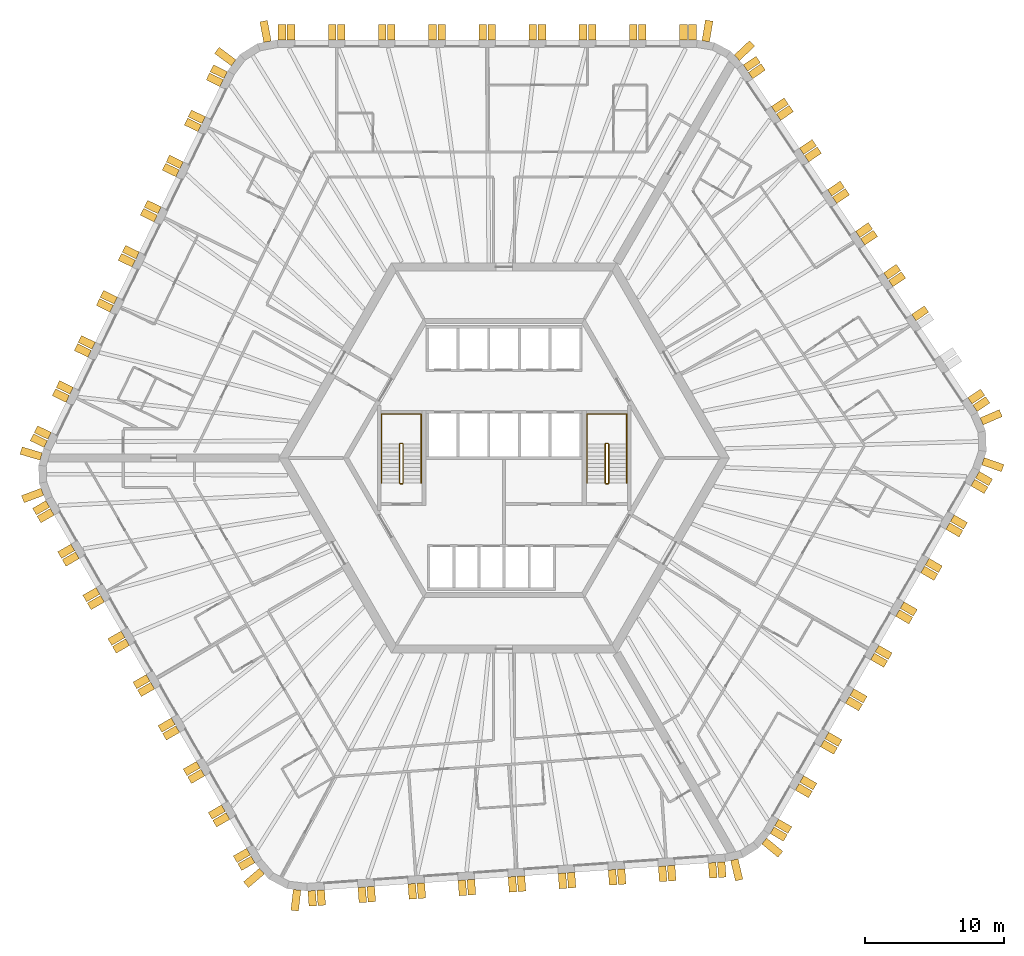
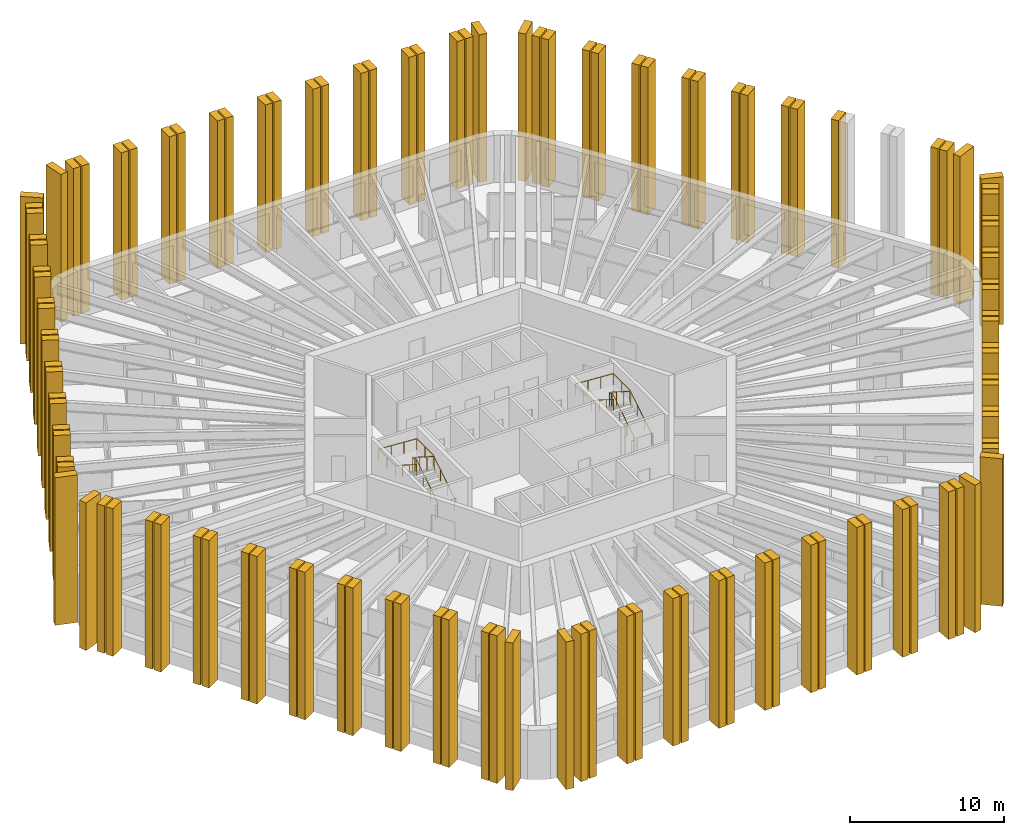
# One storey, part 12 of 13: 117 shading devices, 4 railings.
"""IFC4 building model written with IfcOpenShell, lengths in metres."""

from ifc_helpers import new_model, si_unit, direction, frame, origin, origin_2d, place, context, subcontext, project, spatial, polyline, circle, outline, extrude, material, layer, layer_set, type_object, element, save


model = new_model("IFC4")

# Units and contexts
model_context = context("Model", 3, precision=1e-05, world=origin(), true_north=direction((0.0, 1.0)))
body_context = subcontext(model_context, "Body", "Model", "MODEL_VIEW")
ifc_project = project(units=[si_unit("LENGTHUNIT", "METRE"), si_unit("AREAUNIT", "SQUARE_METRE"), si_unit("VOLUMEUNIT", "CUBIC_METRE"), si_unit("PLANEANGLEUNIT", "RADIAN"), si_unit("MASSUNIT", "GRAM", prefix="KILO")], contexts=[model_context])

# Site, building, storey
site_placement = place(None, origin())
site = spatial("IfcSite", under=ifc_project, at=site_placement, CompositionType="ELEMENT")
building_placement = place(site_placement, origin())
building = spatial("IfcBuilding", under=site, at=building_placement, Name="Tarnside Tower", CompositionType="ELEMENT")
storey_placement = place(building_placement, frame((0.0, 0.0, 68.699951171875)))
storey = spatial("IfcBuildingStorey", under=building, at=storey_placement, Name="L14", CompositionType="ELEMENT", Elevation=68.699951171875)

# Shading devices
ifc_material_1 = material(Name="Concrete C50/60 white precast", Category="concrete")
ifc_layer_1 = layer(ifc_material_1, 0.550048828125)
ifc_layer_set_1 = layer_set([ifc_layer_1], Name="Precast fin 550 x 1100")
shading_device_type_1 = type_object("IfcShadingDeviceType", Name="Precast fin 550 x 1100", PredefinedType="USERDEFINED", material=ifc_layer_set_1)
for number, where, z_axis, x_axis, name in (
    (1, (13.513916015625, 30.0, -0.14990234375), (1.0, 0.0, 0.0), (0.0, 1.0, 0.0), "Precast fin"),
    (2, (12.864013671875, 30.0, -0.14990234375), (1.0, 0.0, 0.0), (0.0, 1.0, 0.0), "Precast fin"),
    (3, (9.9140625, 30.0, -0.14990234375), (1.0, 0.0, 0.0), (0.0, 1.0, 0.0), "Precast fin"),
    (4, (9.263916015625, 30.0, -0.14990234375), (1.0, 0.0, 0.0), (0.0, 1.0, 0.0), "Precast fin"),
    (5, (6.31396484375, 30.0, -0.14990234375), (1.0, 0.0, 0.0), (0.0, 1.0, 0.0), "Precast fin"),
    (6, (5.6640625, 30.0, -0.14990234375), (1.0, 0.0, 0.0), (0.0, 1.0, 0.0), "Precast fin"),
    (7, (2.7138671875, 30.0, -0.14990234375), (1.0, 0.0, 0.0), (0.0, 1.0, 0.0), "Precast fin"),
    (8, (2.06396484375, 30.0, -0.14990234375), (1.0, 0.0, 0.0), (0.0, 1.0, 0.0), "Precast fin"),
    (9, (-0.885986328125, 30.0, -0.14990234375), (1.0, 0.0, 0.0), (0.0, 1.0, 0.0), "Precast fin"),
    (10, (-1.5361328125, 30.0, -0.14990234375), (1.0, 0.0, 0.0), (0.0, 1.0, 0.0), "Precast fin"),
    (11, (-4.486083984375, 30.0, -0.14990234375), (1.0, 0.0, 0.0), (0.0, 1.0, 0.0), "Precast fin"),
    (12, (-5.135986328125, 30.0, -0.14990234375), (1.0, 0.0, 0.0), (0.0, 1.0, 0.0), "Precast fin"),
    (13, (-8.0859375, 30.0, -0.14990234375), (1.0, 0.0, 0.0), (0.0, 1.0, 0.0), "Precast fin"),
    (14, (-8.736083984375, 30.0, -0.14990234375), (1.0, 0.0, 0.0), (0.0, 1.0, 0.0), "Precast fin"),
    (15, (-11.68603515625, 30.0, -0.14990234375), (1.0, 0.0, 0.0), (0.0, 1.0, 0.0), "Precast fin"),
    (16, (-12.3359375, 30.0, -0.14990234375), (1.0, 0.0, 0.0), (0.0, 1.0, 0.0), "Precast fin"),
    (17, (-15.2861328125, 30.0, -0.14990234375), (1.0, 0.0, 0.0), (0.0, 1.0, 0.0), "Precast fin"),
    (18, (-15.93603515625, 30.0, -0.14990234375), (1.0, 0.0, 0.0), (0.0, 1.0, 0.0), "Precast fin"),
    (19, (-19.977783203125, 27.474365234375, -0.14990234375), (0.438371146789, 0.898794046299, 0.0), (-0.898794046299, 0.438371146789, 0.0), "Precast fin"),
    (20, (-20.262939453125, 26.89013671875, -0.14990234375), (0.438371146789, 0.898794046299, 0.0), (-0.898794046299, 0.438371146789, 0.0), "Precast fin"),
    (21, (-21.555908203125, 24.23876953125, -0.14990234375), (0.438371146789, 0.898794046299, 0.0), (-0.898794046299, 0.438371146789, 0.0), "Precast fin"),
    (22, (-21.841064453125, 23.654541015625, -0.14990234375), (0.438371146789, 0.898794046299, 0.0), (-0.898794046299, 0.438371146789, 0.0), "Precast fin"),
    (23, (-23.13427734375, 21.003173828125, -0.14990234375), (0.438371146789, 0.898794046299, 0.0), (-0.898794046299, 0.438371146789, 0.0), "Precast fin"),
    (24, (-23.419189453125, 20.4189453125, -0.14990234375), (0.438371146789, 0.898794046299, 0.0), (-0.898794046299, 0.438371146789, 0.0), "Precast fin"),
    (25, (-24.71240234375, 17.767333984375, -0.14990234375), (0.438371146789, 0.898794046299, 0.0), (-0.898794046299, 0.438371146789, 0.0), "Precast fin"),
    (26, (-24.997314453125, 17.18310546875, -0.14990234375), (0.438371146789, 0.898794046299, 0.0), (-0.898794046299, 0.438371146789, 0.0), "Precast fin"),
    (27, (-26.29052734375, 14.53173828125, -0.14990234375), (0.438371146789, 0.898794046299, 0.0), (-0.898794046299, 0.438371146789, 0.0), "Precast fin"),
    (28, (-26.575439453125, 13.947509765625, -0.14990234375), (0.438371146789, 0.898794046299, 0.0), (-0.898794046299, 0.438371146789, 0.0), "Precast fin"),
    (29, (-27.86865234375, 11.296142578125, -0.14990234375), (0.438371146789, 0.898794046299, 0.0), (-0.898794046299, 0.438371146789, 0.0), "Precast fin"),
    (30, (-28.153564453125, 10.7119140625, -0.14990234375), (0.438371146789, 0.898794046299, 0.0), (-0.898794046299, 0.438371146789, 0.0), "Precast fin"),
    (31, (-29.44677734375, 8.060546875, -0.14990234375), (0.438371146789, 0.898794046299, 0.0), (-0.898794046299, 0.438371146789, 0.0), "Precast fin"),
    (32, (-29.731689453125, 7.476318359375, -0.14990234375), (0.438371146789, 0.898794046299, 0.0), (-0.898794046299, 0.438371146789, 0.0), "Precast fin"),
    (33, (-31.02490234375, 4.82470703125, -0.14990234375), (0.438371146789, 0.898794046299, 0.0), (-0.898794046299, 0.438371146789, 0.0), "Precast fin"),
    (34, (-31.309814453125, 4.240478515625, -0.14990234375), (0.438371146789, 0.898794046299, 0.0), (-0.898794046299, 0.438371146789, 0.0), "Precast fin"),
    (35, (-32.60302734375, 1.589111328125, -0.14990234375), (0.438371146789, 0.898794046299, 0.0), (-0.898794046299, 0.438371146789, 0.0), "Precast fin"),
    (36, (-32.887939453125, 1.0048828125, -0.14990234375), (0.438371146789, 0.898794046299, 0.0), (-0.898794046299, 0.438371146789, 0.0), "Precast fin"),
    (37, (-32.73779296875, -3.296630859375, -0.14990234375), (-0.5, 0.866025403784, 0.0), (-0.866025403784, -0.5, 0.0), "Precast fin"),
    (38, (-32.412841796875, -3.859375, -0.14990234375), (-0.5, 0.866025403784, 0.0), (-0.866025403784, -0.5, 0.0), "Precast fin"),
    (39, (-30.937744140625, -6.414306640625, -0.14990234375), (-0.5, 0.866025403784, 0.0), (-0.866025403784, -0.5, 0.0), "Precast fin"),
    (40, (-30.61279296875, -6.977294921875, -0.14990234375), (-0.5, 0.866025403784, 0.0), (-0.866025403784, -0.5, 0.0), "Precast fin"),
    (41, (-29.1376953125, -9.531982421875, -0.14990234375), (-0.5, 0.866025403784, 0.0), (-0.866025403784, -0.5, 0.0), "Precast fin"),
    (42, (-28.812744140625, -10.094970703125, -0.14990234375), (-0.5, 0.866025403784, 0.0), (-0.866025403784, -0.5, 0.0), "Precast fin"),
    (43, (-27.337646484375, -12.649658203125, -0.14990234375), (-0.5, 0.866025403784, 0.0), (-0.866025403784, -0.5, 0.0), "Precast fin"),
    (44, (-27.0126953125, -13.212646484375, -0.14990234375), (-0.5, 0.866025403784, 0.0), (-0.866025403784, -0.5, 0.0), "Precast fin"),
    (45, (-25.537841796875, -15.767333984375, -0.14990234375), (-0.5, 0.866025403784, 0.0), (-0.866025403784, -0.5, 0.0), "Precast fin"),
    (46, (-25.212646484375, -16.330322265625, -0.14990234375), (-0.5, 0.866025403784, 0.0), (-0.866025403784, -0.5, 0.0), "Precast fin"),
    (47, (-23.73779296875, -18.885009765625, -0.14990234375), (-0.5, 0.866025403784, 0.0), (-0.866025403784, -0.5, 0.0), "Precast fin"),
    (48, (-23.412841796875, -19.447998046875, -0.14990234375), (-0.5, 0.866025403784, 0.0), (-0.866025403784, -0.5, 0.0), "Precast fin"),
    (49, (-21.937744140625, -22.002685546875, -0.14990234375), (-0.5, 0.866025403784, 0.0), (-0.866025403784, -0.5, 0.0), "Precast fin"),
    (50, (-21.61279296875, -22.565673828125, -0.14990234375), (-0.5, 0.866025403784, 0.0), (-0.866025403784, -0.5, 0.0), "Precast fin"),
    (51, (-20.1376953125, -25.120361328125, -0.14990234375), (-0.5, 0.866025403784, 0.0), (-0.866025403784, -0.5, 0.0), "Precast fin"),
    (52, (-19.812744140625, -25.683349609375, -0.14990234375), (-0.5, 0.866025403784, 0.0), (-0.866025403784, -0.5, 0.0), "Precast fin"),
    (53, (-18.337646484375, -28.238037109375, -0.14990234375), (-0.5, 0.866025403784, 0.0), (-0.866025403784, -0.5, 0.0), "Precast fin"),
    (54, (-18.0126953125, -28.801025390625, -0.14990234375), (-0.5, 0.866025403784, 0.0), (-0.866025403784, -0.5, 0.0), "Precast fin"),
    (55, (-13.8046875, -31.03857421875, -0.14990234375), (-0.99756405026, -0.069756473744, 0.0), (0.069756473744, -0.99756405026, 0.0), "Precast fin"),
    (56, (-13.15625, -30.9931640625, -0.14990234375), (-0.99756405026, -0.069756473744, 0.0), (0.069756473744, -0.99756405026, 0.0), "Precast fin"),
    (57, (-10.21337890625, -30.787353515625, -0.14990234375), (-0.99756405026, -0.069756473744, 0.0), (0.069756473744, -0.99756405026, 0.0), "Precast fin"),
    (58, (-9.56494140625, -30.7421875, -0.14990234375), (-0.99756405026, -0.069756473744, 0.0), (0.069756473744, -0.99756405026, 0.0), "Precast fin"),
    (59, (-6.6220703125, -30.536376953125, -0.14990234375), (-0.99756405026, -0.069756473744, 0.0), (0.069756473744, -0.99756405026, 0.0), "Precast fin"),
    (60, (-5.9736328125, -30.490966796875, -0.14990234375), (-0.99756405026, -0.069756473744, 0.0), (0.069756473744, -0.99756405026, 0.0), "Precast fin"),
    (61, (-3.031005859375, -30.28515625, -0.14990234375), (-0.99756405026, -0.069756473744, 0.0), (0.069756473744, -0.99756405026, 0.0), "Precast fin"),
    (62, (-2.382568359375, -30.23974609375, -0.14990234375), (-0.99756405026, -0.069756473744, 0.0), (0.069756473744, -0.99756405026, 0.0), "Precast fin"),
    (63, (0.560302734375, -30.0341796875, -0.14990234375), (-0.99756405026, -0.069756473744, 0.0), (0.069756473744, -0.99756405026, 0.0), "Precast fin"),
    (64, (1.208740234375, -29.98876953125, -0.14990234375), (-0.99756405026, -0.069756473744, 0.0), (0.069756473744, -0.99756405026, 0.0), "Precast fin"),
    (65, (4.151611328125, -29.782958984375, -0.14990234375), (-0.99756405026, -0.069756473744, 0.0), (0.069756473744, -0.99756405026, 0.0), "Precast fin"),
    (66, (4.800048828125, -29.737548828125, -0.14990234375), (-0.99756405026, -0.069756473744, 0.0), (0.069756473744, -0.99756405026, 0.0), "Precast fin"),
    (67, (7.74267578125, -29.53173828125, -0.14990234375), (-0.99756405026, -0.069756473744, 0.0), (0.069756473744, -0.99756405026, 0.0), "Precast fin"),
    (68, (8.39111328125, -29.486572265625, -0.14990234375), (-0.99756405026, -0.069756473744, 0.0), (0.069756473744, -0.99756405026, 0.0), "Precast fin"),
    (69, (11.333984375, -29.28076171875, -0.14990234375), (-0.99756405026, -0.069756473744, 0.0), (0.069756473744, -0.99756405026, 0.0), "Precast fin"),
    (70, (11.982421875, -29.2353515625, -0.14990234375), (-0.99756405026, -0.069756473744, 0.0), (0.069756473744, -0.99756405026, 0.0), "Precast fin"),
    (71, (14.92529296875, -29.029541015625, -0.14990234375), (-0.99756405026, -0.069756473744, 0.0), (0.069756473744, -0.99756405026, 0.0), "Precast fin"),
    (72, (15.57373046875, -28.984130859375, -0.14990234375), (-0.99756405026, -0.069756473744, 0.0), (0.069756473744, -0.99756405026, 0.0), "Precast fin"),
    (73, (19.223876953125, -26.703369140625, -0.14990234375), (-0.5, -0.866025403784, 0.0), (0.866025403784, -0.5, 0.0), "Precast fin"),
    (74, (19.548828125, -26.140625, -0.14990234375), (-0.5, -0.866025403784, 0.0), (0.866025403784, -0.5, 0.0), "Precast fin"),
    (75, (21.023681640625, -23.585693359375, -0.14990234375), (-0.5, -0.866025403784, 0.0), (0.866025403784, -0.5, 0.0), "Precast fin"),
    (76, (21.348876953125, -23.022705078125, -0.14990234375), (-0.5, -0.866025403784, 0.0), (0.866025403784, -0.5, 0.0), "Precast fin"),
    (77, (22.82373046875, -20.468017578125, -0.14990234375), (-0.5, -0.866025403784, 0.0), (0.866025403784, -0.5, 0.0), "Precast fin"),
    (78, (23.148681640625, -19.905029296875, -0.14990234375), (-0.5, -0.866025403784, 0.0), (0.866025403784, -0.5, 0.0), "Precast fin"),
    (79, (24.623779296875, -17.350341796875, -0.14990234375), (-0.5, -0.866025403784, 0.0), (0.866025403784, -0.5, 0.0), "Precast fin"),
    (80, (24.94873046875, -16.787353515625, -0.14990234375), (-0.5, -0.866025403784, 0.0), (0.866025403784, -0.5, 0.0), "Precast fin"),
    (81, (26.423828125, -14.232666015625, -0.14990234375), (-0.5, -0.866025403784, 0.0), (0.866025403784, -0.5, 0.0), "Precast fin"),
    (82, (26.748779296875, -13.669677734375, -0.14990234375), (-0.5, -0.866025403784, 0.0), (0.866025403784, -0.5, 0.0), "Precast fin"),
    (83, (28.223876953125, -11.114990234375, -0.14990234375), (-0.5, -0.866025403784, 0.0), (0.866025403784, -0.5, 0.0), "Precast fin"),
    (84, (28.548828125, -10.552001953125, -0.14990234375), (-0.5, -0.866025403784, 0.0), (0.866025403784, -0.5, 0.0), "Precast fin"),
    (85, (30.023681640625, -7.997314453125, -0.14990234375), (-0.5, -0.866025403784, 0.0), (0.866025403784, -0.5, 0.0), "Precast fin"),
    (86, (30.348876953125, -7.434326171875, -0.14990234375), (-0.5, -0.866025403784, 0.0), (0.866025403784, -0.5, 0.0), "Precast fin"),
    (87, (31.82373046875, -4.879638671875, -0.14990234375), (-0.5, -0.866025403784, 0.0), (0.866025403784, -0.5, 0.0), "Precast fin"),
    (88, (32.148681640625, -4.316650390625, -0.14990234375), (-0.5, -0.866025403784, 0.0), (0.866025403784, -0.5, 0.0), "Precast fin"),
    (89, (33.623779296875, -1.761962890625, -0.14990234375), (-0.5, -0.866025403784, 0.0), (0.866025403784, -0.5, 0.0), "Precast fin"),
    (90, (33.94873046875, -1.198974609375, -0.14990234375), (-0.5, -0.866025403784, 0.0), (0.866025403784, -0.5, 0.0), "Precast fin"),
    (91, (33.782470703125, 3.564208984375, -0.14990234375), (0.559192903471, -0.829037572555, 0.0), (0.829037572555, 0.559192903471, 0.0), "Precast fin"),
    (92, (33.4189453125, 4.10302734375, -0.14990234375), (0.559192903471, -0.829037572555, 0.0), (0.829037572555, 0.559192903471, 0.0), "Precast fin"),
    (93, (29.392822265625, 10.072021484375, -0.14990234375), (0.559192903471, -0.829037572555, 0.0), (0.829037572555, 0.559192903471, 0.0), "Precast fin"),
    (94, (27.7431640625, 12.517822265625, -0.14990234375), (0.559192903471, -0.829037572555, 0.0), (0.829037572555, 0.559192903471, 0.0), "Precast fin"),
    (95, (27.379638671875, 13.056640625, -0.14990234375), (0.559192903471, -0.829037572555, 0.0), (0.829037572555, 0.559192903471, 0.0), "Precast fin"),
    (96, (25.730224609375, 15.502197265625, -0.14990234375), (0.559192903471, -0.829037572555, 0.0), (0.829037572555, 0.559192903471, 0.0), "Precast fin"),
    (97, (25.36669921875, 16.041259765625, -0.14990234375), (0.559192903471, -0.829037572555, 0.0), (0.829037572555, 0.559192903471, 0.0), "Precast fin"),
    (98, (23.717041015625, 18.48681640625, -0.14990234375), (0.559192903471, -0.829037572555, 0.0), (0.829037572555, 0.559192903471, 0.0), "Precast fin"),
    (99, (23.353515625, 19.025634765625, -0.14990234375), (0.559192903471, -0.829037572555, 0.0), (0.829037572555, 0.559192903471, 0.0), "Precast fin"),
    (100, (21.703857421875, 21.471435546875, -0.14990234375), (0.559192903471, -0.829037572555, 0.0), (0.829037572555, 0.559192903471, 0.0), "Precast fin"),
    (101, (21.34033203125, 22.01025390625, -0.14990234375), (0.559192903471, -0.829037572555, 0.0), (0.829037572555, 0.559192903471, 0.0), "Precast fin"),
    (102, (19.69091796875, 24.455810546875, -0.14990234375), (0.559192903471, -0.829037572555, 0.0), (0.829037572555, 0.559192903471, 0.0), "Precast fin"),
    (103, (19.327392578125, 24.994873046875, -0.14990234375), (0.559192903471, -0.829037572555, 0.0), (0.829037572555, 0.559192903471, 0.0), "Precast fin"),
    (104, (17.677734375, 27.4404296875, -0.14990234375), (0.559192903471, -0.829037572555, 0.0), (0.829037572555, 0.559192903471, 0.0), "Precast fin"),
    (105, (17.314208984375, 27.979248046875, -0.14990234375), (0.559192903471, -0.829037572555, 0.0), (0.829037572555, 0.559192903471, 0.0), "Precast fin"),
):
    element("IfcShadingDevice", number, at=place(storey_placement, frame(where, z_axis=z_axis, x_axis=x_axis)), inside=storey, type_object=shading_device_type_1, Name=name, ObjectType="FIN", PredefinedType="USERDEFINED", context=body_context, shape_type="SweptSolid", body=[
        extrude(outline(polyline([(0.0, 0.0), (1.10009765625, 0.0), (1.10009765625, 11.699951171875), (0.0, 11.699951171875), (0.0, 0.0)])), frame((0.0, 0.0, -0.27490234375)), (0.0, 0.0, 1.0), 0.550048828125),
    ])
ifc_layer_2 = layer(ifc_material_1, 0.550048828125)
ifc_layer_set_2 = layer_set([ifc_layer_2], Name="Precast fin 550 x 1500")
shading_device_type_2 = type_object("IfcShadingDeviceType", Name="Precast fin 550 x 1500", PredefinedType="USERDEFINED", material=ifc_layer_set_2)
for number, where, z_axis, x_axis, name in (
    (106, (-16.97509765625, 29.86767578125, -0.14990234375), (0.982720646705, 0.18509492305, 0.0), (-0.18509492305, 0.982720646705, 0.0), "Precast fin"),
    (107, (-19.403564453125, 28.35009765625, -0.14990234375), (0.597158591707, 0.802123192752, 0.0), (-0.802123192752, 0.597158591707, 0.0), "Precast fin"),
    (108, (-33.213623046875, 0.10546875, -0.14990234375), (0.286803232717, 0.957989512314, 0.0), (-0.957989512314, 0.286803232717, 0.0), "Precast fin"),
    (109, (-33.125244140625, -2.422119140625, -0.14990234375), (-0.352930564719, 0.935649515837, 0.0), (-0.935649515837, -0.352930564719, 0.0), "Precast fin"),
    (110, (-17.378662109375, -29.634765625, -0.14990234375), (-0.651657228826, 0.758513583345, 0.0), (-0.758513583345, -0.651657228826, 0.0), "Precast fin"),
    (111, (-14.850341796875, -30.97900390625, -0.14990234375), (-0.993238357741, 0.116092914131, 0.0), (-0.116092914131, -0.993238357741, 0.0), "Precast fin"),
    (112, (16.515625, -28.81640625, -0.14990234375), (-0.973044870581, -0.230615870737, 0.0), (0.230615870737, -0.973044870581, 0.0), "Precast fin"),
    (113, (18.66015625, -27.476318359375, -0.14990234375), (-0.633830967394, -0.773471592738, 0.0), (0.773471592738, -0.633830967394, 0.0), "Precast fin"),
    (114, (34.353759765625, -0.23291015625, -0.14990234375), (-0.331063417879, -0.943608506396, 0.0), (0.943608506396, -0.331063417879, 0.0), "Precast fin"),
    (115, (34.253662109375, 2.62890625, -0.14990234375), (0.396079766034, -0.918216106883, 0.0), (0.918216106883, 0.396079766034, 0.0), "Precast fin"),
    (116, (16.697998046875, 28.711181640625, -0.14990234375), (0.686241637865, -0.727373641577, 0.0), (0.727373641577, 0.686241637865, 0.0), "Precast fin"),
    (117, (14.465087890625, 29.8984375, -0.14990234375), (0.986761532114, -0.1621779231, 0.0), (0.1621779231, 0.986761532114, 0.0), "Precast fin"),
):
    element("IfcShadingDevice", number, at=place(storey_placement, frame(where, z_axis=z_axis, x_axis=x_axis)), inside=storey, type_object=shading_device_type_2, Name=name, ObjectType="FIN", PredefinedType="USERDEFINED", context=body_context, shape_type="SweptSolid", body=[
        extrude(outline(polyline([(0.0, 0.0), (1.5, 0.0), (1.5, 11.699951171875), (0.0, 11.699951171875), (0.0, 0.0)])), frame((0.0, 0.0, -0.27490234375)), (0.0, 0.0, 1.0), 0.550048828125),
    ])

# Railings
ifc_material_2 = material(Name="Stainless steel", Category="steel")
railing_type_1 = type_object("IfcRailingType", Name="Stair guard 1100", PredefinedType="GUARDRAIL", material=ifc_material_2)
railing_1_placement = place(storey_placement, frame((7.300048828125, -1.85009765625, 0.0)))
element("IfcRailing", 118, at=railing_1_placement, inside=storey, type_object=railing_type_1, Name="L14 ST1 stair guard 1", PredefinedType="GUARDRAIL", context=body_context, shape_type="SweptSolid", body=[
    extrude(circle(Radius=0.02392578125, at=origin_2d()), frame((0.0, 0.0, 1.076171875), z_axis=(1.0, 0.0, 0.0), x_axis=(0.0, 1.0, 0.0)), (0.0, 0.0, 1.0), 0.14990234375),
    extrude(circle(Radius=0.02392578125, at=origin_2d()), frame((0.14990234375, 0.0, 1.076171875), z_axis=(0.262233686654, 0.262233686654, 0.928691007369), x_axis=(-0.707106781187, 0.707106781187, 0.0)), (0.0, 0.0, 1.0), 0.19091796875),
    extrude(circle(Radius=0.02392578125, at=origin_2d()), frame((0.199951171875, 0.050048828125, 1.25341796875), z_axis=(0.0, 0.844908973607, 0.534910110503), x_axis=(-1.0, 0.0, 0.0)), (0.0, 0.0, 1.0), 3.31396484375),
    extrude(circle(Radius=0.02392578125, at=origin_2d()), frame((0.199951171875, 2.85009765625, 3.02587890625), z_axis=(-0.707106781187, 0.707106781187, 0.0), x_axis=(-0.707106781187, -0.707106781187, 0.0)), (0.0, 0.0, 1.0), 0.07080078125),
    extrude(circle(Radius=0.02392578125, at=origin_2d()), frame((0.14990234375, 2.900146484375, 3.02587890625), z_axis=(-1.0, 0.0, 0.0), x_axis=(0.0, -1.0, 0.0)), (0.0, 0.0, 1.0), 0.14990234375),
    extrude(circle(Radius=0.02392578125, at=origin_2d()), frame((0.0, 2.900146484375, 3.02587890625), z_axis=(-0.261922500866, -0.261922500866, 0.928866625022), x_axis=(0.707106781187, -0.707106781187, 0.0)), (0.0, 0.0, 1.0), 0.191162109375),
    extrude(circle(Radius=0.02392578125, at=origin_2d()), frame((-0.050048828125, 2.85009765625, 3.20361328125), z_axis=(0.0, -0.844908973607, 0.534910110503), x_axis=(1.0, 0.0, 0.0)), (0.0, 0.0, 1.0), 3.31396484375),
    extrude(circle(Radius=0.02099609375, at=origin_2d()), origin(), (0.0, 0.0, 1.0), 1.052001953125),
    extrude(circle(Radius=0.02099609375, at=origin_2d()), frame((0.14990234375, 0.0, 0.0)), (0.0, 0.0, 1.0), 1.052001953125),
    extrude(circle(Radius=0.02099609375, at=origin_2d()), frame((0.199951171875, 0.050048828125, 0.17724609375)), (0.0, 0.0, 1.0), 1.052001953125),
    extrude(circle(Radius=0.02099609375, at=origin_2d()), frame((0.199951171875, 0.9833984375, 0.76806640625)), (0.0, 0.0, 1.0), 1.052001953125),
    extrude(circle(Radius=0.02099609375, at=origin_2d()), frame((0.199951171875, 1.916748046875, 1.359130859375)), (0.0, 0.0, 1.0), 1.052001953125),
    extrude(circle(Radius=0.02099609375, at=origin_2d()), frame((0.199951171875, 2.85009765625, 1.949951171875)), (0.0, 0.0, 1.0), 1.052001953125),
    extrude(circle(Radius=0.02099609375, at=origin_2d()), frame((0.14990234375, 2.900146484375, 1.949951171875)), (0.0, 0.0, 1.0), 1.052001953125),
    extrude(circle(Radius=0.02099609375, at=origin_2d()), frame((0.0, 2.900146484375, 1.949951171875)), (0.0, 0.0, 1.0), 1.052001953125),
    extrude(circle(Radius=0.02099609375, at=origin_2d()), frame((-0.050048828125, 2.85009765625, 2.12744140625)), (0.0, 0.0, 1.0), 1.052001953125),
    extrude(circle(Radius=0.02099609375, at=origin_2d()), frame((-0.050048828125, 1.916748046875, 2.71826171875)), (0.0, 0.0, 1.0), 1.052001953125),
    extrude(circle(Radius=0.02099609375, at=origin_2d()), frame((-0.050048828125, 0.9833984375, 3.309326171875)), (0.0, 0.0, 1.0), 1.052001953125),
    extrude(circle(Radius=0.02099609375, at=origin_2d()), frame((-0.050048828125, 0.050048828125, 3.900146484375)), (0.0, 0.0, 1.0), 1.052001953125),
])
railing_2_placement = place(storey_placement, frame((-7.449951171875, -1.85009765625, 0.0)))
element("IfcRailing", 119, at=railing_2_placement, inside=storey, type_object=railing_type_1, Name="L14 ST2 stair guard 1", PredefinedType="GUARDRAIL", context=body_context, shape_type="SweptSolid", body=[
    extrude(circle(Radius=0.02392578125, at=origin_2d()), frame((0.0, 0.0, 1.076171875), z_axis=(1.0, 0.0, 0.0), x_axis=(0.0, 1.0, 0.0)), (0.0, 0.0, 1.0), 0.14990234375),
    extrude(circle(Radius=0.02392578125, at=origin_2d()), frame((0.14990234375, 0.0, 1.076171875), z_axis=(0.262233686654, 0.262233686654, 0.928691007369), x_axis=(-0.707106781187, 0.707106781187, 0.0)), (0.0, 0.0, 1.0), 0.19091796875),
    extrude(circle(Radius=0.02392578125, at=origin_2d()), frame((0.199951171875, 0.050048828125, 1.25341796875), z_axis=(0.0, 0.844908973607, 0.534910110503), x_axis=(-1.0, 0.0, 0.0)), (0.0, 0.0, 1.0), 3.31396484375),
    extrude(circle(Radius=0.02392578125, at=origin_2d()), frame((0.199951171875, 2.85009765625, 3.02587890625), z_axis=(-0.707106781187, 0.707106781187, 0.0), x_axis=(-0.707106781187, -0.707106781187, 0.0)), (0.0, 0.0, 1.0), 0.07080078125),
    extrude(circle(Radius=0.02392578125, at=origin_2d()), frame((0.14990234375, 2.900146484375, 3.02587890625), z_axis=(-1.0, 0.0, 0.0), x_axis=(0.0, -1.0, 0.0)), (0.0, 0.0, 1.0), 0.14990234375),
    extrude(circle(Radius=0.02392578125, at=origin_2d()), frame((0.0, 2.900146484375, 3.02587890625), z_axis=(-0.261922500866, -0.261922500866, 0.928866625022), x_axis=(0.707106781187, -0.707106781187, 0.0)), (0.0, 0.0, 1.0), 0.191162109375),
    extrude(circle(Radius=0.02392578125, at=origin_2d()), frame((-0.050048828125, 2.85009765625, 3.20361328125), z_axis=(0.0, -0.844908973607, 0.534910110503), x_axis=(1.0, 0.0, 0.0)), (0.0, 0.0, 1.0), 3.31396484375),
    extrude(circle(Radius=0.02099609375, at=origin_2d()), origin(), (0.0, 0.0, 1.0), 1.052001953125),
    extrude(circle(Radius=0.02099609375, at=origin_2d()), frame((0.14990234375, 0.0, 0.0)), (0.0, 0.0, 1.0), 1.052001953125),
    extrude(circle(Radius=0.02099609375, at=origin_2d()), frame((0.199951171875, 0.050048828125, 0.17724609375)), (0.0, 0.0, 1.0), 1.052001953125),
    extrude(circle(Radius=0.02099609375, at=origin_2d()), frame((0.199951171875, 0.9833984375, 0.76806640625)), (0.0, 0.0, 1.0), 1.052001953125),
    extrude(circle(Radius=0.02099609375, at=origin_2d()), frame((0.199951171875, 1.916748046875, 1.359130859375)), (0.0, 0.0, 1.0), 1.052001953125),
    extrude(circle(Radius=0.02099609375, at=origin_2d()), frame((0.199951171875, 2.85009765625, 1.949951171875)), (0.0, 0.0, 1.0), 1.052001953125),
    extrude(circle(Radius=0.02099609375, at=origin_2d()), frame((0.14990234375, 2.900146484375, 1.949951171875)), (0.0, 0.0, 1.0), 1.052001953125),
    extrude(circle(Radius=0.02099609375, at=origin_2d()), frame((0.0, 2.900146484375, 1.949951171875)), (0.0, 0.0, 1.0), 1.052001953125),
    extrude(circle(Radius=0.02099609375, at=origin_2d()), frame((-0.050048828125, 2.85009765625, 2.12744140625)), (0.0, 0.0, 1.0), 1.052001953125),
    extrude(circle(Radius=0.02099609375, at=origin_2d()), frame((-0.050048828125, 1.916748046875, 2.71826171875)), (0.0, 0.0, 1.0), 1.052001953125),
    extrude(circle(Radius=0.02099609375, at=origin_2d()), frame((-0.050048828125, 0.9833984375, 3.309326171875)), (0.0, 0.0, 1.0), 1.052001953125),
    extrude(circle(Radius=0.02099609375, at=origin_2d()), frame((-0.050048828125, 0.050048828125, 3.900146484375)), (0.0, 0.0, 1.0), 1.052001953125),
])
railing_type_2 = type_object("IfcRailingType", Name="Stair handrail 900", PredefinedType="HANDRAIL", material=ifc_material_2)
railing_3_placement = place(storey_placement, frame((8.800048828125, -1.800048828125, 0.17724609375)))
element("IfcRailing", 120, at=railing_3_placement, inside=storey, type_object=railing_type_2, Name="L14 ST1 stair handrail 1", PredefinedType="HANDRAIL", context=body_context, shape_type="SweptSolid", body=[
    extrude(circle(Radius=0.02392578125, at=origin_2d()), frame((0.0, 0.0, 0.8857421875), z_axis=(0.0, 0.844908973607, 0.534910110503), x_axis=(-1.0, 0.0, 0.0)), (0.0, 0.0, 1.0), 3.31396484375),
    extrude(circle(Radius=0.02392578125, at=origin_2d()), frame((0.0, 2.800048828125, 2.65869140625), z_axis=(0.0, 1.0, 0.0), x_axis=(-1.0, 0.0, 0.0)), (0.0, 0.0, 1.0), 2.14990234375),
    extrude(circle(Radius=0.02392578125, at=origin_2d()), frame((0.0, 4.949951171875, 2.65869140625), z_axis=(-0.998066525363, 0.0, 0.062154733933), x_axis=(0.0, -1.0, 0.0)), (0.0, 0.0, 1.0), 2.855712890625),
    extrude(circle(Radius=0.02392578125, at=origin_2d()), frame((-2.85009765625, 4.949951171875, 2.8359375), z_axis=(0.0, -1.0, 0.0), x_axis=(1.0, 0.0, 0.0)), (0.0, 0.0, 1.0), 2.14990234375),
    extrude(circle(Radius=0.02392578125, at=origin_2d()), frame((-2.85009765625, 2.800048828125, 2.8359375), z_axis=(0.0, -0.844908973607, 0.534910110503), x_axis=(1.0, 0.0, 0.0)), (0.0, 0.0, 1.0), 3.31396484375),
    extrude(circle(Radius=0.02099609375, at=origin_2d()), origin(), (0.0, 0.0, 1.0), 0.86181640625),
    extrude(circle(Radius=0.02099609375, at=origin_2d()), frame((0.0, 0.933349609375, 0.5908203125)), (0.0, 0.0, 1.0), 0.86181640625),
    extrude(circle(Radius=0.02099609375, at=origin_2d()), frame((0.0, 1.86669921875, 1.181884765625)), (0.0, 0.0, 1.0), 0.86181640625),
    extrude(circle(Radius=0.02099609375, at=origin_2d()), frame((0.0, 2.800048828125, 1.772705078125)), (0.0, 0.0, 1.0), 0.86181640625),
    extrude(circle(Radius=0.02099609375, at=origin_2d()), frame((0.0, 3.875, 1.772705078125)), (0.0, 0.0, 1.0), 0.86181640625),
    extrude(circle(Radius=0.02099609375, at=origin_2d()), frame((0.0, 4.949951171875, 1.772705078125)), (0.0, 0.0, 1.0), 0.86181640625),
    extrude(circle(Radius=0.02099609375, at=origin_2d()), frame((-0.949951171875, 4.949951171875, 1.831787109375)), (0.0, 0.0, 1.0), 0.86181640625),
    extrude(circle(Radius=0.02099609375, at=origin_2d()), frame((-1.900146484375, 4.949951171875, 1.89111328125)), (0.0, 0.0, 1.0), 0.86181640625),
    extrude(circle(Radius=0.02099609375, at=origin_2d()), frame((-2.85009765625, 4.949951171875, 1.9501953125)), (0.0, 0.0, 1.0), 0.86181640625),
    extrude(circle(Radius=0.02099609375, at=origin_2d()), frame((-2.85009765625, 3.875, 1.9501953125)), (0.0, 0.0, 1.0), 0.86181640625),
    extrude(circle(Radius=0.02099609375, at=origin_2d()), frame((-2.85009765625, 2.800048828125, 1.9501953125)), (0.0, 0.0, 1.0), 0.86181640625),
    extrude(circle(Radius=0.02099609375, at=origin_2d()), frame((-2.85009765625, 1.86669921875, 2.541015625)), (0.0, 0.0, 1.0), 0.86181640625),
    extrude(circle(Radius=0.02099609375, at=origin_2d()), frame((-2.85009765625, 0.933349609375, 3.132080078125)), (0.0, 0.0, 1.0), 0.86181640625),
    extrude(circle(Radius=0.02099609375, at=origin_2d()), frame((-2.85009765625, 0.0, 3.722900390625)), (0.0, 0.0, 1.0), 0.86181640625),
])
railing_4_placement = place(storey_placement, frame((-5.949951171875, -1.800048828125, 0.17724609375)))
element("IfcRailing", 121, at=railing_4_placement, inside=storey, type_object=railing_type_2, Name="L14 ST2 stair handrail 1", PredefinedType="HANDRAIL", context=body_context, shape_type="SweptSolid", body=[
    extrude(circle(Radius=0.02392578125, at=origin_2d()), frame((0.0, 0.0, 0.8857421875), z_axis=(0.0, 0.844908973607, 0.534910110503), x_axis=(-1.0, 0.0, 0.0)), (0.0, 0.0, 1.0), 3.31396484375),
    extrude(circle(Radius=0.02392578125, at=origin_2d()), frame((0.0, 2.800048828125, 2.65869140625), z_axis=(0.0, 1.0, 0.0), x_axis=(-1.0, 0.0, 0.0)), (0.0, 0.0, 1.0), 2.14990234375),
    extrude(circle(Radius=0.02392578125, at=origin_2d()), frame((0.0, 4.949951171875, 2.65869140625), z_axis=(-0.998066525363, 0.0, 0.062154733933), x_axis=(0.0, -1.0, 0.0)), (0.0, 0.0, 1.0), 2.855712890625),
    extrude(circle(Radius=0.02392578125, at=origin_2d()), frame((-2.85009765625, 4.949951171875, 2.8359375), z_axis=(0.0, -1.0, 0.0), x_axis=(1.0, 0.0, 0.0)), (0.0, 0.0, 1.0), 2.14990234375),
    extrude(circle(Radius=0.02392578125, at=origin_2d()), frame((-2.85009765625, 2.800048828125, 2.8359375), z_axis=(0.0, -0.844908973607, 0.534910110503), x_axis=(1.0, 0.0, 0.0)), (0.0, 0.0, 1.0), 3.31396484375),
    extrude(circle(Radius=0.02099609375, at=origin_2d()), origin(), (0.0, 0.0, 1.0), 0.86181640625),
    extrude(circle(Radius=0.02099609375, at=origin_2d()), frame((0.0, 0.933349609375, 0.5908203125)), (0.0, 0.0, 1.0), 0.86181640625),
    extrude(circle(Radius=0.02099609375, at=origin_2d()), frame((0.0, 1.86669921875, 1.181884765625)), (0.0, 0.0, 1.0), 0.86181640625),
    extrude(circle(Radius=0.02099609375, at=origin_2d()), frame((0.0, 2.800048828125, 1.772705078125)), (0.0, 0.0, 1.0), 0.86181640625),
    extrude(circle(Radius=0.02099609375, at=origin_2d()), frame((0.0, 3.875, 1.772705078125)), (0.0, 0.0, 1.0), 0.86181640625),
    extrude(circle(Radius=0.02099609375, at=origin_2d()), frame((0.0, 4.949951171875, 1.772705078125)), (0.0, 0.0, 1.0), 0.86181640625),
    extrude(circle(Radius=0.02099609375, at=origin_2d()), frame((-0.949951171875, 4.949951171875, 1.831787109375)), (0.0, 0.0, 1.0), 0.86181640625),
    extrude(circle(Radius=0.02099609375, at=origin_2d()), frame((-1.900146484375, 4.949951171875, 1.89111328125)), (0.0, 0.0, 1.0), 0.86181640625),
    extrude(circle(Radius=0.02099609375, at=origin_2d()), frame((-2.85009765625, 4.949951171875, 1.9501953125)), (0.0, 0.0, 1.0), 0.86181640625),
    extrude(circle(Radius=0.02099609375, at=origin_2d()), frame((-2.85009765625, 3.875, 1.9501953125)), (0.0, 0.0, 1.0), 0.86181640625),
    extrude(circle(Radius=0.02099609375, at=origin_2d()), frame((-2.85009765625, 2.800048828125, 1.9501953125)), (0.0, 0.0, 1.0), 0.86181640625),
    extrude(circle(Radius=0.02099609375, at=origin_2d()), frame((-2.85009765625, 1.86669921875, 2.541015625)), (0.0, 0.0, 1.0), 0.86181640625),
    extrude(circle(Radius=0.02099609375, at=origin_2d()), frame((-2.85009765625, 0.933349609375, 3.132080078125)), (0.0, 0.0, 1.0), 0.86181640625),
    extrude(circle(Radius=0.02099609375, at=origin_2d()), frame((-2.85009765625, 0.0, 3.722900390625)), (0.0, 0.0, 1.0), 0.86181640625),
])

save(model, "model.ifc")
